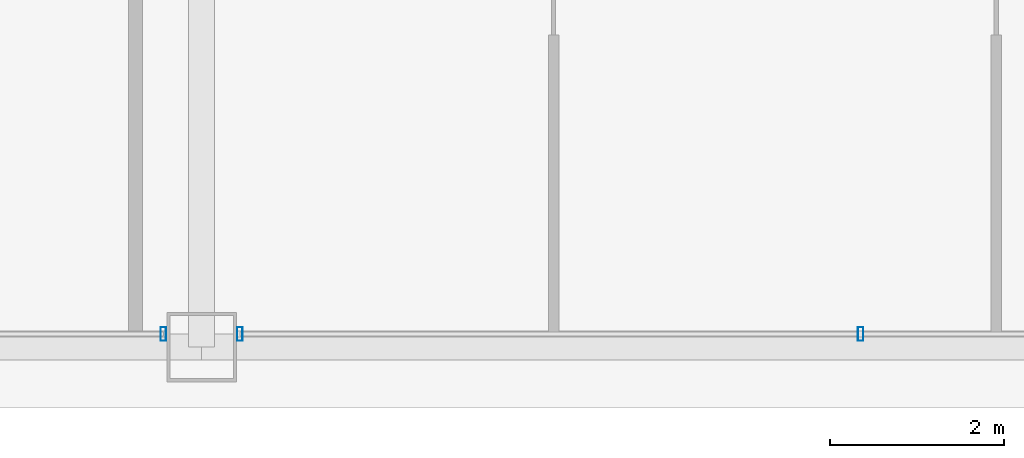
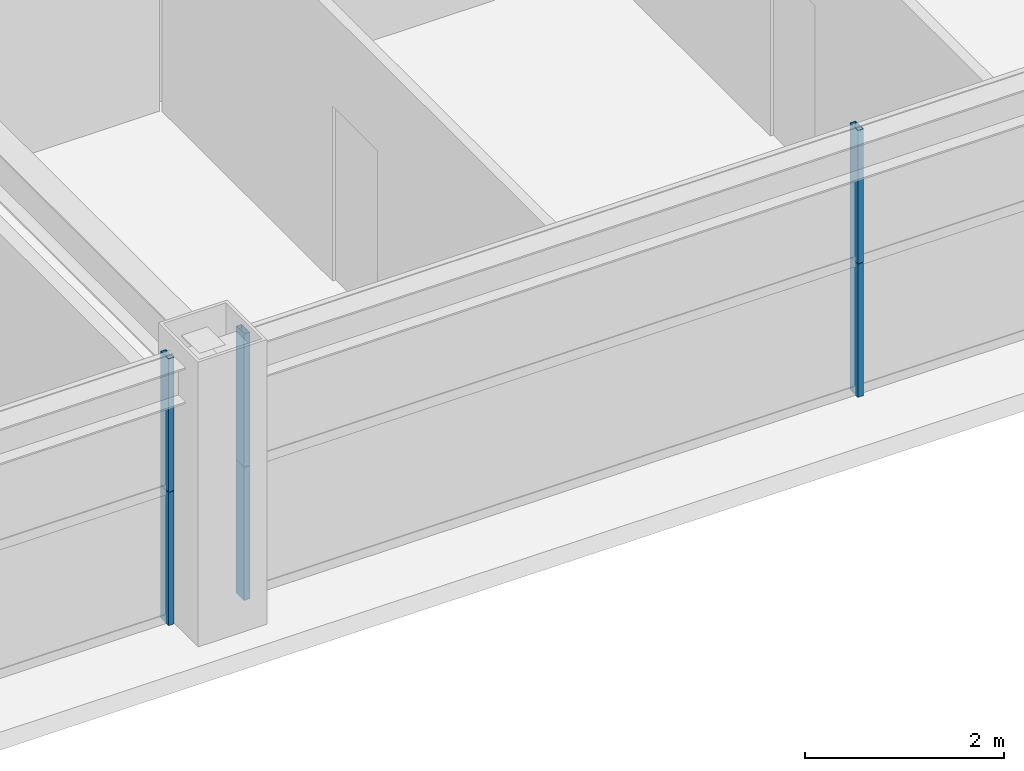
# One storey, part 10 of 38: 6 members, 2 elements without a shape of their own.
"""IFC4 building model written with IfcOpenShell, lengths in metres."""

from ifc_helpers import new_model, si_unit, direction, frame, origin, origin_2d, place, context, subcontext, project, spatial, hollow_rectangle, extrude, source, transform, mapped, material, layer, layer_set, material_profile, profile_set, type_object, element, aggregate, save


model = new_model("IFC4")

# Units and contexts
model_context = context("Model", 3, precision=1e-05, world=origin(), true_north=direction((0.0, 1.0)))
body_context = subcontext(model_context, "Body", "Model", "MODEL_VIEW")
ifc_project = project(units=[si_unit("LENGTHUNIT", "METRE"), si_unit("AREAUNIT", "SQUARE_METRE"), si_unit("VOLUMEUNIT", "CUBIC_METRE"), si_unit("PLANEANGLEUNIT", "RADIAN"), si_unit("MASSUNIT", "GRAM", prefix="KILO"), si_unit("THERMODYNAMICTEMPERATUREUNIT", "KELVIN"), si_unit("POWERUNIT", "WATT")], contexts=[model_context])

# Site, building, storey
site_placement = place(None, origin())
site = spatial("IfcSite", under=ifc_project, at=site_placement, CompositionType="ELEMENT")
building_placement = place(site_placement, origin())
building = spatial("IfcBuilding", under=site, at=building_placement, Name="Yuzanri Waterfront Tower", CompositionType="ELEMENT")
storey_placement = place(building_placement, frame((0.0, 0.0, 195.0)))
storey = spatial("IfcBuildingStorey", under=building, at=storey_placement, Name="L51", CompositionType="ELEMENT", Elevation=195.0)

# Curtain wall, members
ifc_material_1 = material(Name="Anodized Architectural Bronze", Category="metal")
ifc_layer = layer(ifc_material_1, 0.159912109375)
ifc_layer_set = layer_set([ifc_layer], Name="Anodized Architectural Bronze")
curtain_wall_type = type_object("IfcCurtainWallType", Name="Anodized Bronze Mid-Rise Residential Acoustic Unitized Curtain Wall 7200", PredefinedType="NOTDEFINED", material=ifc_layer_set)
curtain_wall_1_placement = place(storey_placement, origin())
curtain_wall_1 = element("IfcCurtainWall", 1, at=curtain_wall_1_placement, inside=storey, type_object=curtain_wall_type, Name="L51 Curtain Wall CW-L51-SL", PredefinedType="NOTDEFINED")
ifc_material_2 = material(Name="Anodized Architectural Bronze", Category="metal")
ifc_material_profile = material_profile(ifc_material_2, hollow_rectangle(XDim=0.06494140625, YDim=0.159912109375, WallThickness=0.00341796875, at=origin_2d()), Name="CWM 65x160")
ifc_profile_set = profile_set([ifc_material_profile], Name="Anodized Architectural Bronze")
member_type = type_object("IfcMemberType", Name="Anodized Bronze Upper-Zone Curtain-Wall Mullion 65x160", PredefinedType="MULLION", material=ifc_profile_set)
shared_shape = source(origin(), body_context, "Body", "SweptSolid", [
    extrude(hollow_rectangle(XDim=0.06494140625, YDim=0.159912109375, WallThickness=0.00341796875, at=origin_2d()), origin(), (0.0, 0.0, 1.0), 1.637939453125),
])
member_1_placement = place(storey_placement, frame((36.56005859375, 3.85009765625, 0.0), z_axis=(0.0, 0.0, 1.0), x_axis=(1.0, 0.0, 0.0)))
member_1 = element("IfcMember", 2, at=member_1_placement, type_object=member_type, Name="CW-L51-SL Lower Mullion 02", PredefinedType="MULLION", context=body_context, shape_type="MappedRepresentation", body=[
    mapped(shared_shape, transform((0.0, 0.0, 0.0), scale=1.0)),
])
member_2_placement = place(storey_placement, frame((36.56005859375, 3.85009765625, 1.64208984375), z_axis=(0.0, 0.0, 1.0), x_axis=(1.0, 0.0, 0.0)))
member_2 = element("IfcMember", 3, at=member_2_placement, type_object=member_type, Name="CW-L51-SL Upper Mullion 02", PredefinedType="MULLION", context=body_context, shape_type="MappedRepresentation", body=[
    mapped(shared_shape, transform((0.0, 0.0, 0.0), scale=1.0)),
])
aggregate(curtain_wall_1, [member_1, member_2])

curtain_wall_2_placement = place(storey_placement, origin())
curtain_wall_2 = element("IfcCurtainWall", 4, at=curtain_wall_2_placement, inside=storey, type_object=curtain_wall_type, Name="L51 Curtain Wall CW-L51-SR", PredefinedType="NOTDEFINED")
member_3_placement = place(storey_placement, frame((37.43994140625, 3.85009765625, 0.0), z_axis=(0.0, 0.0, 1.0), x_axis=(1.0, 0.0, 0.0)))
member_3 = element("IfcMember", 5, at=member_3_placement, type_object=member_type, Name="CW-L51-SR Lower Mullion 00", PredefinedType="MULLION", context=body_context, shape_type="MappedRepresentation", body=[
    mapped(shared_shape, transform((0.0, 0.0, 0.0), scale=1.0)),
])
member_4_placement = place(storey_placement, frame((37.43994140625, 3.85009765625, 1.64208984375), z_axis=(0.0, 0.0, 1.0), x_axis=(1.0, 0.0, 0.0)))
member_4 = element("IfcMember", 6, at=member_4_placement, type_object=member_type, Name="CW-L51-SR Upper Mullion 00", PredefinedType="MULLION", context=body_context, shape_type="MappedRepresentation", body=[
    mapped(shared_shape, transform((0.0, 0.0, 0.0), scale=1.0)),
])
member_5_placement = place(storey_placement, frame((44.574951171875, 3.85009765625, 0.0), z_axis=(0.0, 0.0, 1.0), x_axis=(1.0, 0.0, 0.0)))
member_5 = element("IfcMember", 7, at=member_5_placement, type_object=member_type, Name="CW-L51-SR Lower Mullion 01", PredefinedType="MULLION", context=body_context, shape_type="MappedRepresentation", body=[
    mapped(shared_shape, transform((0.0, 0.0, 0.0), scale=1.0)),
])
member_6_placement = place(storey_placement, frame((44.574951171875, 3.85009765625, 1.64208984375), z_axis=(0.0, 0.0, 1.0), x_axis=(1.0, 0.0, 0.0)))
member_6 = element("IfcMember", 8, at=member_6_placement, type_object=member_type, Name="CW-L51-SR Upper Mullion 01", PredefinedType="MULLION", context=body_context, shape_type="MappedRepresentation", body=[
    mapped(shared_shape, transform((0.0, 0.0, 0.0), scale=1.0)),
])
aggregate(curtain_wall_2, [member_3, member_4, member_5, member_6])

save(model, "model.ifc")
